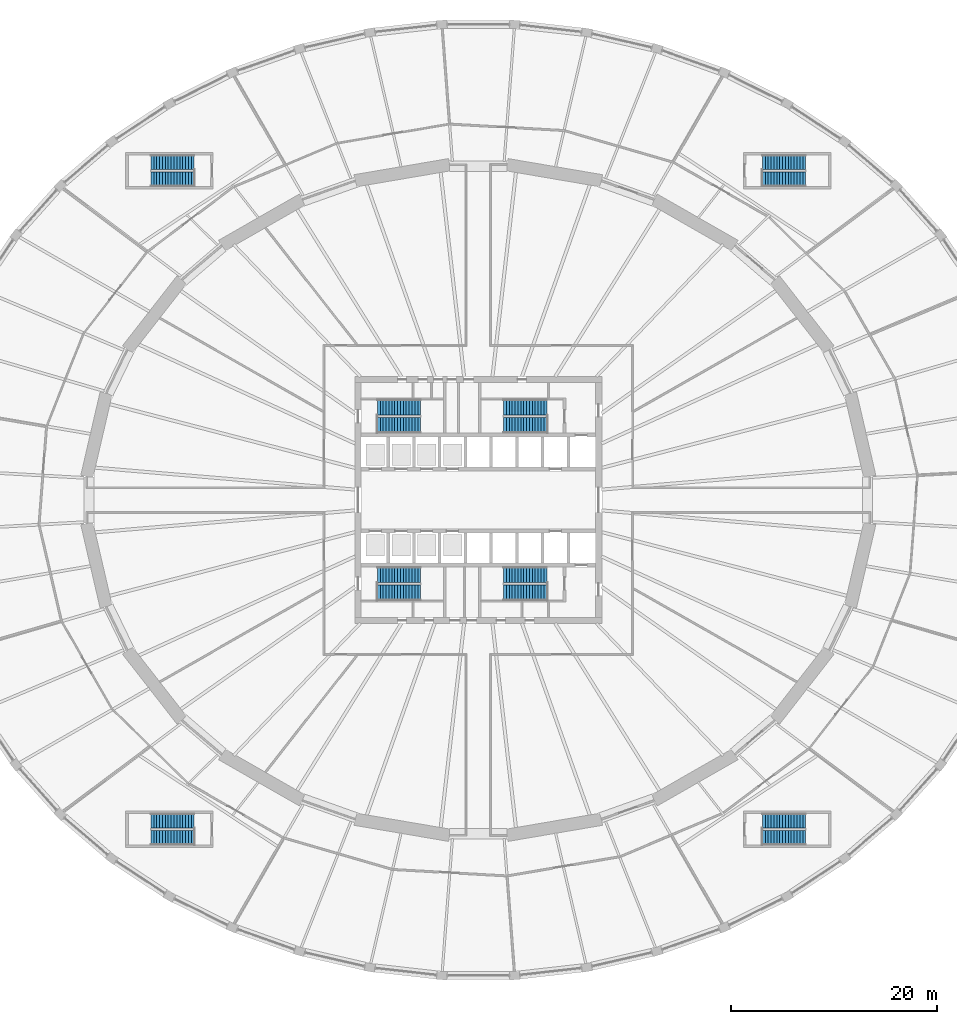
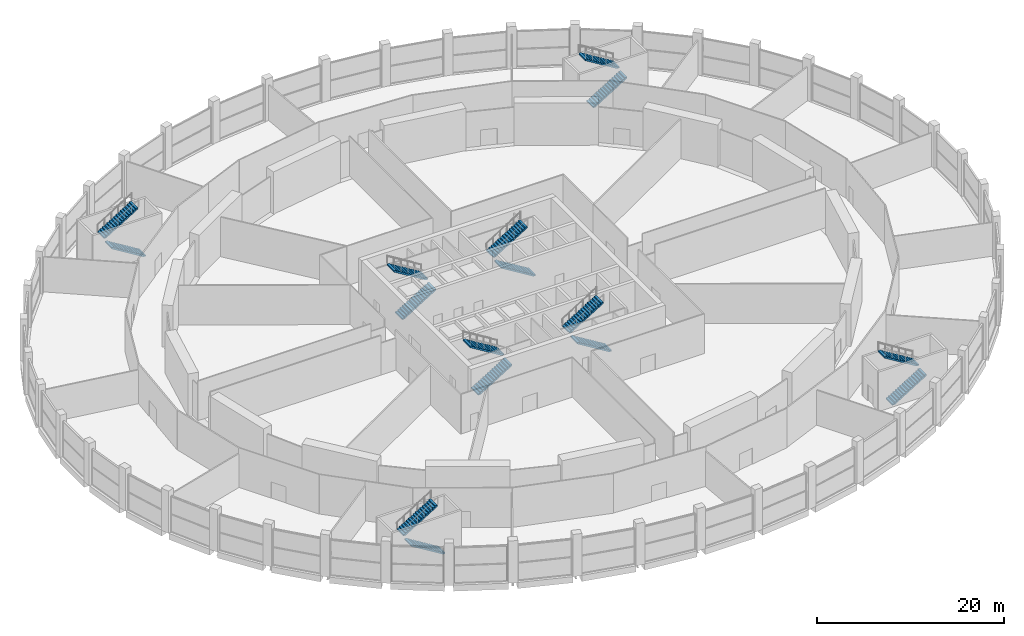
# One storey, part 26 of 29: 16 stair flights, 8 elements without a shape of their own.
"""IFC4 building model written with IfcOpenShell, lengths in metres."""

from ifc_helpers import new_model, si_unit, direction, frame, origin, place, context, subcontext, project, spatial, polyline, outline, extrude, material, type_object, element, aggregate, save


model = new_model("IFC4")

# Units and contexts
model_context = context("Model", 3, precision=1e-05, world=origin(), true_north=direction((0.0, 1.0)))
body_context = subcontext(model_context, "Body", "Model", "MODEL_VIEW")
ifc_project = project(units=[si_unit("LENGTHUNIT", "METRE"), si_unit("AREAUNIT", "SQUARE_METRE"), si_unit("VOLUMEUNIT", "CUBIC_METRE"), si_unit("PLANEANGLEUNIT", "RADIAN"), si_unit("MASSUNIT", "GRAM", prefix="KILO")], contexts=[model_context])

# Site, building, storey
site_placement = place(None, origin())
site = spatial("IfcSite", under=ifc_project, at=site_placement, CompositionType="ELEMENT")
building_placement = place(site_placement, origin())
building = spatial("IfcBuilding", under=site, at=building_placement, Name="Halqa Exchange Tower", CompositionType="ELEMENT")
storey_placement = place(building_placement, frame((0.0, 0.0, 12.5)))
storey = spatial("IfcBuildingStorey", under=building, at=storey_placement, Name="L02", CompositionType="ELEMENT", Elevation=12.5)

# Stair, stair flights
ifc_material = material(Name="Concrete C30/37", Category="concrete")
stair_type_1 = type_object("IfcStairType", Name="Exit stair 1400 wide", PredefinedType="HALF_TURN_STAIR", material=ifc_material)
stair_1_placement = place(storey_placement, origin())
stair_1 = element("IfcStair", 1, at=stair_1_placement, inside=storey, type_object=stair_type_1, Name="Exit stair PS1", PredefinedType="HALF_TURN_STAIR")
stair_flight_type_1 = type_object("IfcStairFlightType", Name="Stair flight 1400 wide", PredefinedType="STRAIGHT", material=ifc_material)
stair_flight_1_placement = place(storey_placement, frame((27.60009765625, 31.175048828125, 0.0), z_axis=(0.0, 0.0, 1.0), x_axis=(1.0, 0.0, 0.0)))
stair_flight_1 = element("IfcStairFlight", 2, at=stair_flight_1_placement, type_object=stair_flight_type_1, Name="PS1 flight 1", NumberOfRisers=16, NumberOfTreads=15, PredefinedType="STRAIGHT", RiserHeight=0.171875, TreadLength=0.28, context=body_context, shape_type="SweptSolid", body=[
    extrude(outline(polyline([(0.0, 0.0), (0.0, 0.171875), (0.280029296875, 0.171875), (0.280029296875, 0.34375), (0.56005859375, 0.34375), (0.56005859375, 0.515625), (0.840087890625, 0.515625), (0.840087890625, 0.6875), (1.1201171875, 0.6875), (1.1201171875, 0.859375), (1.39990234375, 0.859375), (1.39990234375, 1.03125), (1.679931640625, 1.03125), (1.679931640625, 1.203125), (1.9599609375, 1.203125), (1.9599609375, 1.375), (2.239990234375, 1.375), (2.239990234375, 1.546875), (2.52001953125, 1.546875), (2.52001953125, 1.71875), (2.800048828125, 1.71875), (2.800048828125, 1.890625), (3.080078125, 1.890625), (3.080078125, 2.0625), (3.360107421875, 2.0625), (3.360107421875, 2.234375), (3.639892578125, 2.234375), (3.639892578125, 2.40625), (3.919921875, 2.40625), (3.919921875, 2.578125), (4.199951171875, 2.578125), (4.199951171875, 2.75), (4.199951171875, 2.40234375), (0.28662109375, 0.0), (0.0, 0.0)])), frame((0.0, 0.699951171875, 0.0), z_axis=(0.0, -1.0, 0.0), x_axis=(1.0, 0.0, 0.0)), (0.0, 0.0, 1.0), 1.39990234375),
])
stair_flight_2_placement = place(storey_placement, frame((31.800048828125, 32.824951171875, 2.75), z_axis=(0.0, 0.0, 1.0), x_axis=(-1.0, 0.0, 0.0)))
stair_flight_2 = element("IfcStairFlight", 3, at=stair_flight_2_placement, type_object=stair_flight_type_1, Name="PS1 flight 2", NumberOfRisers=16, NumberOfTreads=15, PredefinedType="STRAIGHT", RiserHeight=0.171875, TreadLength=0.28, context=body_context, shape_type="SweptSolid", body=[
    extrude(outline(polyline([(0.0, 0.0), (0.0, 0.171875), (0.280029296875, 0.171875), (0.280029296875, 0.34375), (0.56005859375, 0.34375), (0.56005859375, 0.515625), (0.840087890625, 0.515625), (0.840087890625, 0.6875), (1.1201171875, 0.6875), (1.1201171875, 0.859375), (1.39990234375, 0.859375), (1.39990234375, 1.03125), (1.679931640625, 1.03125), (1.679931640625, 1.203125), (1.9599609375, 1.203125), (1.9599609375, 1.375), (2.239990234375, 1.375), (2.239990234375, 1.546875), (2.52001953125, 1.546875), (2.52001953125, 1.71875), (2.800048828125, 1.71875), (2.800048828125, 1.890625), (3.080078125, 1.890625), (3.080078125, 2.0625), (3.360107421875, 2.0625), (3.360107421875, 2.234375), (3.639892578125, 2.234375), (3.639892578125, 2.40625), (3.919921875, 2.40625), (3.919921875, 2.578125), (4.199951171875, 2.578125), (4.199951171875, 2.75), (4.199951171875, 2.40234375), (0.28662109375, 0.0), (0.0, 0.0)])), frame((0.0, 0.699951171875, 0.0), z_axis=(0.0, -1.0, 0.0), x_axis=(1.0, 0.0, 0.0)), (0.0, 0.0, 1.0), 1.39990234375),
])
aggregate(stair_1, [stair_flight_1, stair_flight_2])

stair_2_placement = place(storey_placement, origin())
stair_2 = element("IfcStair", 4, at=stair_2_placement, inside=storey, type_object=stair_type_1, Name="Exit stair PS2", PredefinedType="HALF_TURN_STAIR")
stair_flight_3_placement = place(storey_placement, frame((27.60009765625, -32.824951171875, 0.0), z_axis=(0.0, 0.0, 1.0), x_axis=(1.0, 0.0, 0.0)))
stair_flight_3 = element("IfcStairFlight", 5, at=stair_flight_3_placement, type_object=stair_flight_type_1, Name="PS2 flight 1", NumberOfRisers=16, NumberOfTreads=15, PredefinedType="STRAIGHT", RiserHeight=0.171875, TreadLength=0.28, context=body_context, shape_type="SweptSolid", body=[
    extrude(outline(polyline([(0.0, 0.0), (0.0, 0.171875), (0.280029296875, 0.171875), (0.280029296875, 0.34375), (0.56005859375, 0.34375), (0.56005859375, 0.515625), (0.840087890625, 0.515625), (0.840087890625, 0.6875), (1.1201171875, 0.6875), (1.1201171875, 0.859375), (1.39990234375, 0.859375), (1.39990234375, 1.03125), (1.679931640625, 1.03125), (1.679931640625, 1.203125), (1.9599609375, 1.203125), (1.9599609375, 1.375), (2.239990234375, 1.375), (2.239990234375, 1.546875), (2.52001953125, 1.546875), (2.52001953125, 1.71875), (2.800048828125, 1.71875), (2.800048828125, 1.890625), (3.080078125, 1.890625), (3.080078125, 2.0625), (3.360107421875, 2.0625), (3.360107421875, 2.234375), (3.639892578125, 2.234375), (3.639892578125, 2.40625), (3.919921875, 2.40625), (3.919921875, 2.578125), (4.199951171875, 2.578125), (4.199951171875, 2.75), (4.199951171875, 2.40234375), (0.28662109375, 0.0), (0.0, 0.0)])), frame((0.0, 0.699951171875, 0.0), z_axis=(0.0, -1.0, 0.0), x_axis=(1.0, 0.0, 0.0)), (0.0, 0.0, 1.0), 1.39990234375),
])
stair_flight_4_placement = place(storey_placement, frame((31.800048828125, -31.175048828125, 2.75), z_axis=(0.0, 0.0, 1.0), x_axis=(-1.0, 0.0, 0.0)))
stair_flight_4 = element("IfcStairFlight", 6, at=stair_flight_4_placement, type_object=stair_flight_type_1, Name="PS2 flight 2", NumberOfRisers=16, NumberOfTreads=15, PredefinedType="STRAIGHT", RiserHeight=0.171875, TreadLength=0.28, context=body_context, shape_type="SweptSolid", body=[
    extrude(outline(polyline([(0.0, 0.0), (0.0, 0.171875), (0.280029296875, 0.171875), (0.280029296875, 0.34375), (0.56005859375, 0.34375), (0.56005859375, 0.515625), (0.840087890625, 0.515625), (0.840087890625, 0.6875), (1.1201171875, 0.6875), (1.1201171875, 0.859375), (1.39990234375, 0.859375), (1.39990234375, 1.03125), (1.679931640625, 1.03125), (1.679931640625, 1.203125), (1.9599609375, 1.203125), (1.9599609375, 1.375), (2.239990234375, 1.375), (2.239990234375, 1.546875), (2.52001953125, 1.546875), (2.52001953125, 1.71875), (2.800048828125, 1.71875), (2.800048828125, 1.890625), (3.080078125, 1.890625), (3.080078125, 2.0625), (3.360107421875, 2.0625), (3.360107421875, 2.234375), (3.639892578125, 2.234375), (3.639892578125, 2.40625), (3.919921875, 2.40625), (3.919921875, 2.578125), (4.199951171875, 2.578125), (4.199951171875, 2.75), (4.199951171875, 2.40234375), (0.28662109375, 0.0), (0.0, 0.0)])), frame((0.0, 0.699951171875, 0.0), z_axis=(0.0, -1.0, 0.0), x_axis=(1.0, 0.0, 0.0)), (0.0, 0.0, 1.0), 1.39990234375),
])
aggregate(stair_2, [stair_flight_3, stair_flight_4])

stair_3_placement = place(storey_placement, origin())
stair_3 = element("IfcStair", 7, at=stair_3_placement, inside=storey, type_object=stair_type_1, Name="Exit stair PS3", PredefinedType="HALF_TURN_STAIR")
stair_flight_5_placement = place(storey_placement, frame((-27.60009765625, 31.175048828125, 0.0), z_axis=(0.0, 0.0, 1.0), x_axis=(-1.0, 0.0, 0.0)))
stair_flight_5 = element("IfcStairFlight", 8, at=stair_flight_5_placement, type_object=stair_flight_type_1, Name="PS3 flight 1", NumberOfRisers=16, NumberOfTreads=15, PredefinedType="STRAIGHT", RiserHeight=0.171875, TreadLength=0.28, context=body_context, shape_type="SweptSolid", body=[
    extrude(outline(polyline([(0.0, 0.0), (0.0, 0.171875), (0.280029296875, 0.171875), (0.280029296875, 0.34375), (0.56005859375, 0.34375), (0.56005859375, 0.515625), (0.840087890625, 0.515625), (0.840087890625, 0.6875), (1.1201171875, 0.6875), (1.1201171875, 0.859375), (1.39990234375, 0.859375), (1.39990234375, 1.03125), (1.679931640625, 1.03125), (1.679931640625, 1.203125), (1.9599609375, 1.203125), (1.9599609375, 1.375), (2.239990234375, 1.375), (2.239990234375, 1.546875), (2.52001953125, 1.546875), (2.52001953125, 1.71875), (2.800048828125, 1.71875), (2.800048828125, 1.890625), (3.080078125, 1.890625), (3.080078125, 2.0625), (3.360107421875, 2.0625), (3.360107421875, 2.234375), (3.639892578125, 2.234375), (3.639892578125, 2.40625), (3.919921875, 2.40625), (3.919921875, 2.578125), (4.199951171875, 2.578125), (4.199951171875, 2.75), (4.199951171875, 2.40234375), (0.28662109375, 0.0), (0.0, 0.0)])), frame((0.0, 0.699951171875, 0.0), z_axis=(0.0, -1.0, 0.0), x_axis=(1.0, 0.0, 0.0)), (0.0, 0.0, 1.0), 1.39990234375),
])
stair_flight_6_placement = place(storey_placement, frame((-31.800048828125, 32.824951171875, 2.75), z_axis=(0.0, 0.0, 1.0), x_axis=(1.0, 0.0, 0.0)))
stair_flight_6 = element("IfcStairFlight", 9, at=stair_flight_6_placement, type_object=stair_flight_type_1, Name="PS3 flight 2", NumberOfRisers=16, NumberOfTreads=15, PredefinedType="STRAIGHT", RiserHeight=0.171875, TreadLength=0.28, context=body_context, shape_type="SweptSolid", body=[
    extrude(outline(polyline([(0.0, 0.0), (0.0, 0.171875), (0.280029296875, 0.171875), (0.280029296875, 0.34375), (0.56005859375, 0.34375), (0.56005859375, 0.515625), (0.840087890625, 0.515625), (0.840087890625, 0.6875), (1.1201171875, 0.6875), (1.1201171875, 0.859375), (1.39990234375, 0.859375), (1.39990234375, 1.03125), (1.679931640625, 1.03125), (1.679931640625, 1.203125), (1.9599609375, 1.203125), (1.9599609375, 1.375), (2.239990234375, 1.375), (2.239990234375, 1.546875), (2.52001953125, 1.546875), (2.52001953125, 1.71875), (2.800048828125, 1.71875), (2.800048828125, 1.890625), (3.080078125, 1.890625), (3.080078125, 2.0625), (3.360107421875, 2.0625), (3.360107421875, 2.234375), (3.639892578125, 2.234375), (3.639892578125, 2.40625), (3.919921875, 2.40625), (3.919921875, 2.578125), (4.199951171875, 2.578125), (4.199951171875, 2.75), (4.199951171875, 2.40234375), (0.28662109375, 0.0), (0.0, 0.0)])), frame((0.0, 0.699951171875, 0.0), z_axis=(0.0, -1.0, 0.0), x_axis=(1.0, 0.0, 0.0)), (0.0, 0.0, 1.0), 1.39990234375),
])
aggregate(stair_3, [stair_flight_5, stair_flight_6])

stair_4_placement = place(storey_placement, origin())
stair_4 = element("IfcStair", 10, at=stair_4_placement, inside=storey, type_object=stair_type_1, Name="Exit stair PS4", PredefinedType="HALF_TURN_STAIR")
stair_flight_7_placement = place(storey_placement, frame((-27.60009765625, -32.824951171875, 0.0), z_axis=(0.0, 0.0, 1.0), x_axis=(-1.0, 0.0, 0.0)))
stair_flight_7 = element("IfcStairFlight", 11, at=stair_flight_7_placement, type_object=stair_flight_type_1, Name="PS4 flight 1", NumberOfRisers=16, NumberOfTreads=15, PredefinedType="STRAIGHT", RiserHeight=0.171875, TreadLength=0.28, context=body_context, shape_type="SweptSolid", body=[
    extrude(outline(polyline([(0.0, 0.0), (0.0, 0.171875), (0.280029296875, 0.171875), (0.280029296875, 0.34375), (0.56005859375, 0.34375), (0.56005859375, 0.515625), (0.840087890625, 0.515625), (0.840087890625, 0.6875), (1.1201171875, 0.6875), (1.1201171875, 0.859375), (1.39990234375, 0.859375), (1.39990234375, 1.03125), (1.679931640625, 1.03125), (1.679931640625, 1.203125), (1.9599609375, 1.203125), (1.9599609375, 1.375), (2.239990234375, 1.375), (2.239990234375, 1.546875), (2.52001953125, 1.546875), (2.52001953125, 1.71875), (2.800048828125, 1.71875), (2.800048828125, 1.890625), (3.080078125, 1.890625), (3.080078125, 2.0625), (3.360107421875, 2.0625), (3.360107421875, 2.234375), (3.639892578125, 2.234375), (3.639892578125, 2.40625), (3.919921875, 2.40625), (3.919921875, 2.578125), (4.199951171875, 2.578125), (4.199951171875, 2.75), (4.199951171875, 2.40234375), (0.28662109375, 0.0), (0.0, 0.0)])), frame((0.0, 0.699951171875, 0.0), z_axis=(0.0, -1.0, 0.0), x_axis=(1.0, 0.0, 0.0)), (0.0, 0.0, 1.0), 1.39990234375),
])
stair_flight_8_placement = place(storey_placement, frame((-31.800048828125, -31.175048828125, 2.75), z_axis=(0.0, 0.0, 1.0), x_axis=(1.0, 0.0, 0.0)))
stair_flight_8 = element("IfcStairFlight", 12, at=stair_flight_8_placement, type_object=stair_flight_type_1, Name="PS4 flight 2", NumberOfRisers=16, NumberOfTreads=15, PredefinedType="STRAIGHT", RiserHeight=0.171875, TreadLength=0.28, context=body_context, shape_type="SweptSolid", body=[
    extrude(outline(polyline([(0.0, 0.0), (0.0, 0.171875), (0.280029296875, 0.171875), (0.280029296875, 0.34375), (0.56005859375, 0.34375), (0.56005859375, 0.515625), (0.840087890625, 0.515625), (0.840087890625, 0.6875), (1.1201171875, 0.6875), (1.1201171875, 0.859375), (1.39990234375, 0.859375), (1.39990234375, 1.03125), (1.679931640625, 1.03125), (1.679931640625, 1.203125), (1.9599609375, 1.203125), (1.9599609375, 1.375), (2.239990234375, 1.375), (2.239990234375, 1.546875), (2.52001953125, 1.546875), (2.52001953125, 1.71875), (2.800048828125, 1.71875), (2.800048828125, 1.890625), (3.080078125, 1.890625), (3.080078125, 2.0625), (3.360107421875, 2.0625), (3.360107421875, 2.234375), (3.639892578125, 2.234375), (3.639892578125, 2.40625), (3.919921875, 2.40625), (3.919921875, 2.578125), (4.199951171875, 2.578125), (4.199951171875, 2.75), (4.199951171875, 2.40234375), (0.28662109375, 0.0), (0.0, 0.0)])), frame((0.0, 0.699951171875, 0.0), z_axis=(0.0, -1.0, 0.0), x_axis=(1.0, 0.0, 0.0)), (0.0, 0.0, 1.0), 1.39990234375),
])
aggregate(stair_4, [stair_flight_7, stair_flight_8])

stair_type_2 = type_object("IfcStairType", Name="Exit stair 1500 wide", PredefinedType="HALF_TURN_STAIR", material=ifc_material)
stair_5_placement = place(storey_placement, origin())
stair_5 = element("IfcStair", 13, at=stair_5_placement, inside=storey, type_object=stair_type_2, Name="Exit stair ST1", PredefinedType="HALF_TURN_STAIR")
stair_flight_type_2 = type_object("IfcStairFlightType", Name="Stair flight 1500 wide", PredefinedType="STRAIGHT", material=ifc_material)
stair_flight_9_placement = place(storey_placement, frame((-9.800048828125, 7.25, 0.0), z_axis=(0.0, 0.0, 1.0), x_axis=(1.0, 0.0, 0.0)))
stair_flight_9 = element("IfcStairFlight", 14, at=stair_flight_9_placement, type_object=stair_flight_type_2, Name="ST1 flight 1", NumberOfRisers=16, NumberOfTreads=15, PredefinedType="STRAIGHT", RiserHeight=0.171875, TreadLength=0.28, context=body_context, shape_type="SweptSolid", body=[
    extrude(outline(polyline([(0.0, 0.0), (0.0, 0.171875), (0.280029296875, 0.171875), (0.280029296875, 0.34375), (0.56005859375, 0.34375), (0.56005859375, 0.515625), (0.840087890625, 0.515625), (0.840087890625, 0.6875), (1.1201171875, 0.6875), (1.1201171875, 0.859375), (1.39990234375, 0.859375), (1.39990234375, 1.03125), (1.679931640625, 1.03125), (1.679931640625, 1.203125), (1.9599609375, 1.203125), (1.9599609375, 1.375), (2.239990234375, 1.375), (2.239990234375, 1.546875), (2.52001953125, 1.546875), (2.52001953125, 1.71875), (2.800048828125, 1.71875), (2.800048828125, 1.890625), (3.080078125, 1.890625), (3.080078125, 2.0625), (3.360107421875, 2.0625), (3.360107421875, 2.234375), (3.639892578125, 2.234375), (3.639892578125, 2.40625), (3.919921875, 2.40625), (3.919921875, 2.578125), (4.199951171875, 2.578125), (4.199951171875, 2.75), (4.199951171875, 2.40234375), (0.28662109375, 0.0), (0.0, 0.0)])), frame((0.0, 0.75, 0.0), z_axis=(0.0, -1.0, 0.0), x_axis=(1.0, 0.0, 0.0)), (0.0, 0.0, 1.0), 1.5),
])
stair_flight_10_placement = place(storey_placement, frame((-5.60009765625, 9.0, 2.75), z_axis=(0.0, 0.0, 1.0), x_axis=(-1.0, 0.0, 0.0)))
stair_flight_10 = element("IfcStairFlight", 15, at=stair_flight_10_placement, type_object=stair_flight_type_2, Name="ST1 flight 2", NumberOfRisers=16, NumberOfTreads=15, PredefinedType="STRAIGHT", RiserHeight=0.171875, TreadLength=0.28, context=body_context, shape_type="SweptSolid", body=[
    extrude(outline(polyline([(0.0, 0.0), (0.0, 0.171875), (0.280029296875, 0.171875), (0.280029296875, 0.34375), (0.56005859375, 0.34375), (0.56005859375, 0.515625), (0.840087890625, 0.515625), (0.840087890625, 0.6875), (1.1201171875, 0.6875), (1.1201171875, 0.859375), (1.39990234375, 0.859375), (1.39990234375, 1.03125), (1.679931640625, 1.03125), (1.679931640625, 1.203125), (1.9599609375, 1.203125), (1.9599609375, 1.375), (2.239990234375, 1.375), (2.239990234375, 1.546875), (2.52001953125, 1.546875), (2.52001953125, 1.71875), (2.800048828125, 1.71875), (2.800048828125, 1.890625), (3.080078125, 1.890625), (3.080078125, 2.0625), (3.360107421875, 2.0625), (3.360107421875, 2.234375), (3.639892578125, 2.234375), (3.639892578125, 2.40625), (3.919921875, 2.40625), (3.919921875, 2.578125), (4.199951171875, 2.578125), (4.199951171875, 2.75), (4.199951171875, 2.40234375), (0.28662109375, 0.0), (0.0, 0.0)])), frame((0.0, 0.75, 0.0), z_axis=(0.0, -1.0, 0.0), x_axis=(1.0, 0.0, 0.0)), (0.0, 0.0, 1.0), 1.5),
])
aggregate(stair_5, [stair_flight_9, stair_flight_10])

stair_6_placement = place(storey_placement, origin())
stair_6 = element("IfcStair", 16, at=stair_6_placement, inside=storey, type_object=stair_type_2, Name="Exit stair ST2", PredefinedType="HALF_TURN_STAIR")
stair_flight_11_placement = place(storey_placement, frame((6.64990234375, 7.25, 0.0), z_axis=(0.0, 0.0, 1.0), x_axis=(-1.0, 0.0, 0.0)))
stair_flight_11 = element("IfcStairFlight", 17, at=stair_flight_11_placement, type_object=stair_flight_type_2, Name="ST2 flight 1", NumberOfRisers=16, NumberOfTreads=15, PredefinedType="STRAIGHT", RiserHeight=0.171875, TreadLength=0.28, context=body_context, shape_type="SweptSolid", body=[
    extrude(outline(polyline([(0.0, 0.0), (0.0, 0.171875), (0.280029296875, 0.171875), (0.280029296875, 0.34375), (0.56005859375, 0.34375), (0.56005859375, 0.515625), (0.840087890625, 0.515625), (0.840087890625, 0.6875), (1.1201171875, 0.6875), (1.1201171875, 0.859375), (1.39990234375, 0.859375), (1.39990234375, 1.03125), (1.679931640625, 1.03125), (1.679931640625, 1.203125), (1.9599609375, 1.203125), (1.9599609375, 1.375), (2.239990234375, 1.375), (2.239990234375, 1.546875), (2.52001953125, 1.546875), (2.52001953125, 1.71875), (2.800048828125, 1.71875), (2.800048828125, 1.890625), (3.080078125, 1.890625), (3.080078125, 2.0625), (3.360107421875, 2.0625), (3.360107421875, 2.234375), (3.639892578125, 2.234375), (3.639892578125, 2.40625), (3.919921875, 2.40625), (3.919921875, 2.578125), (4.199951171875, 2.578125), (4.199951171875, 2.75), (4.199951171875, 2.40234375), (0.28662109375, 0.0), (0.0, 0.0)])), frame((0.0, 0.75, 0.0), z_axis=(0.0, -1.0, 0.0), x_axis=(1.0, 0.0, 0.0)), (0.0, 0.0, 1.0), 1.5),
])
stair_flight_12_placement = place(storey_placement, frame((2.449951171875, 9.0, 2.75), z_axis=(0.0, 0.0, 1.0), x_axis=(1.0, 0.0, 0.0)))
stair_flight_12 = element("IfcStairFlight", 18, at=stair_flight_12_placement, type_object=stair_flight_type_2, Name="ST2 flight 2", NumberOfRisers=16, NumberOfTreads=15, PredefinedType="STRAIGHT", RiserHeight=0.171875, TreadLength=0.28, context=body_context, shape_type="SweptSolid", body=[
    extrude(outline(polyline([(0.0, 0.0), (0.0, 0.171875), (0.280029296875, 0.171875), (0.280029296875, 0.34375), (0.56005859375, 0.34375), (0.56005859375, 0.515625), (0.840087890625, 0.515625), (0.840087890625, 0.6875), (1.1201171875, 0.6875), (1.1201171875, 0.859375), (1.39990234375, 0.859375), (1.39990234375, 1.03125), (1.679931640625, 1.03125), (1.679931640625, 1.203125), (1.9599609375, 1.203125), (1.9599609375, 1.375), (2.239990234375, 1.375), (2.239990234375, 1.546875), (2.52001953125, 1.546875), (2.52001953125, 1.71875), (2.800048828125, 1.71875), (2.800048828125, 1.890625), (3.080078125, 1.890625), (3.080078125, 2.0625), (3.360107421875, 2.0625), (3.360107421875, 2.234375), (3.639892578125, 2.234375), (3.639892578125, 2.40625), (3.919921875, 2.40625), (3.919921875, 2.578125), (4.199951171875, 2.578125), (4.199951171875, 2.75), (4.199951171875, 2.40234375), (0.28662109375, 0.0), (0.0, 0.0)])), frame((0.0, 0.75, 0.0), z_axis=(0.0, -1.0, 0.0), x_axis=(1.0, 0.0, 0.0)), (0.0, 0.0, 1.0), 1.5),
])
aggregate(stair_6, [stair_flight_11, stair_flight_12])

stair_7_placement = place(storey_placement, origin())
stair_7 = element("IfcStair", 19, at=stair_7_placement, inside=storey, type_object=stair_type_2, Name="Exit stair ST3", PredefinedType="HALF_TURN_STAIR")
stair_flight_13_placement = place(storey_placement, frame((-9.800048828125, -9.0, 0.0), z_axis=(0.0, 0.0, 1.0), x_axis=(1.0, 0.0, 0.0)))
stair_flight_13 = element("IfcStairFlight", 20, at=stair_flight_13_placement, type_object=stair_flight_type_2, Name="ST3 flight 1", NumberOfRisers=16, NumberOfTreads=15, PredefinedType="STRAIGHT", RiserHeight=0.171875, TreadLength=0.28, context=body_context, shape_type="SweptSolid", body=[
    extrude(outline(polyline([(0.0, 0.0), (0.0, 0.171875), (0.280029296875, 0.171875), (0.280029296875, 0.34375), (0.56005859375, 0.34375), (0.56005859375, 0.515625), (0.840087890625, 0.515625), (0.840087890625, 0.6875), (1.1201171875, 0.6875), (1.1201171875, 0.859375), (1.39990234375, 0.859375), (1.39990234375, 1.03125), (1.679931640625, 1.03125), (1.679931640625, 1.203125), (1.9599609375, 1.203125), (1.9599609375, 1.375), (2.239990234375, 1.375), (2.239990234375, 1.546875), (2.52001953125, 1.546875), (2.52001953125, 1.71875), (2.800048828125, 1.71875), (2.800048828125, 1.890625), (3.080078125, 1.890625), (3.080078125, 2.0625), (3.360107421875, 2.0625), (3.360107421875, 2.234375), (3.639892578125, 2.234375), (3.639892578125, 2.40625), (3.919921875, 2.40625), (3.919921875, 2.578125), (4.199951171875, 2.578125), (4.199951171875, 2.75), (4.199951171875, 2.40234375), (0.28662109375, 0.0), (0.0, 0.0)])), frame((0.0, 0.75, 0.0), z_axis=(0.0, -1.0, 0.0), x_axis=(1.0, 0.0, 0.0)), (0.0, 0.0, 1.0), 1.5),
])
stair_flight_14_placement = place(storey_placement, frame((-5.60009765625, -7.25, 2.75), z_axis=(0.0, 0.0, 1.0), x_axis=(-1.0, 0.0, 0.0)))
stair_flight_14 = element("IfcStairFlight", 21, at=stair_flight_14_placement, type_object=stair_flight_type_2, Name="ST3 flight 2", NumberOfRisers=16, NumberOfTreads=15, PredefinedType="STRAIGHT", RiserHeight=0.171875, TreadLength=0.28, context=body_context, shape_type="SweptSolid", body=[
    extrude(outline(polyline([(0.0, 0.0), (0.0, 0.171875), (0.280029296875, 0.171875), (0.280029296875, 0.34375), (0.56005859375, 0.34375), (0.56005859375, 0.515625), (0.840087890625, 0.515625), (0.840087890625, 0.6875), (1.1201171875, 0.6875), (1.1201171875, 0.859375), (1.39990234375, 0.859375), (1.39990234375, 1.03125), (1.679931640625, 1.03125), (1.679931640625, 1.203125), (1.9599609375, 1.203125), (1.9599609375, 1.375), (2.239990234375, 1.375), (2.239990234375, 1.546875), (2.52001953125, 1.546875), (2.52001953125, 1.71875), (2.800048828125, 1.71875), (2.800048828125, 1.890625), (3.080078125, 1.890625), (3.080078125, 2.0625), (3.360107421875, 2.0625), (3.360107421875, 2.234375), (3.639892578125, 2.234375), (3.639892578125, 2.40625), (3.919921875, 2.40625), (3.919921875, 2.578125), (4.199951171875, 2.578125), (4.199951171875, 2.75), (4.199951171875, 2.40234375), (0.28662109375, 0.0), (0.0, 0.0)])), frame((0.0, 0.75, 0.0), z_axis=(0.0, -1.0, 0.0), x_axis=(1.0, 0.0, 0.0)), (0.0, 0.0, 1.0), 1.5),
])
aggregate(stair_7, [stair_flight_13, stair_flight_14])

stair_8_placement = place(storey_placement, origin())
stair_8 = element("IfcStair", 22, at=stair_8_placement, inside=storey, type_object=stair_type_2, Name="Exit stair ST4", PredefinedType="HALF_TURN_STAIR")
stair_flight_15_placement = place(storey_placement, frame((6.64990234375, -9.0, 0.0), z_axis=(0.0, 0.0, 1.0), x_axis=(-1.0, 0.0, 0.0)))
stair_flight_15 = element("IfcStairFlight", 23, at=stair_flight_15_placement, type_object=stair_flight_type_2, Name="ST4 flight 1", NumberOfRisers=16, NumberOfTreads=15, PredefinedType="STRAIGHT", RiserHeight=0.171875, TreadLength=0.28, context=body_context, shape_type="SweptSolid", body=[
    extrude(outline(polyline([(0.0, 0.0), (0.0, 0.171875), (0.280029296875, 0.171875), (0.280029296875, 0.34375), (0.56005859375, 0.34375), (0.56005859375, 0.515625), (0.840087890625, 0.515625), (0.840087890625, 0.6875), (1.1201171875, 0.6875), (1.1201171875, 0.859375), (1.39990234375, 0.859375), (1.39990234375, 1.03125), (1.679931640625, 1.03125), (1.679931640625, 1.203125), (1.9599609375, 1.203125), (1.9599609375, 1.375), (2.239990234375, 1.375), (2.239990234375, 1.546875), (2.52001953125, 1.546875), (2.52001953125, 1.71875), (2.800048828125, 1.71875), (2.800048828125, 1.890625), (3.080078125, 1.890625), (3.080078125, 2.0625), (3.360107421875, 2.0625), (3.360107421875, 2.234375), (3.639892578125, 2.234375), (3.639892578125, 2.40625), (3.919921875, 2.40625), (3.919921875, 2.578125), (4.199951171875, 2.578125), (4.199951171875, 2.75), (4.199951171875, 2.40234375), (0.28662109375, 0.0), (0.0, 0.0)])), frame((0.0, 0.75, 0.0), z_axis=(0.0, -1.0, 0.0), x_axis=(1.0, 0.0, 0.0)), (0.0, 0.0, 1.0), 1.5),
])
stair_flight_16_placement = place(storey_placement, frame((2.449951171875, -7.25, 2.75), z_axis=(0.0, 0.0, 1.0), x_axis=(1.0, 0.0, 0.0)))
stair_flight_16 = element("IfcStairFlight", 24, at=stair_flight_16_placement, type_object=stair_flight_type_2, Name="ST4 flight 2", NumberOfRisers=16, NumberOfTreads=15, PredefinedType="STRAIGHT", RiserHeight=0.171875, TreadLength=0.28, context=body_context, shape_type="SweptSolid", body=[
    extrude(outline(polyline([(0.0, 0.0), (0.0, 0.171875), (0.280029296875, 0.171875), (0.280029296875, 0.34375), (0.56005859375, 0.34375), (0.56005859375, 0.515625), (0.840087890625, 0.515625), (0.840087890625, 0.6875), (1.1201171875, 0.6875), (1.1201171875, 0.859375), (1.39990234375, 0.859375), (1.39990234375, 1.03125), (1.679931640625, 1.03125), (1.679931640625, 1.203125), (1.9599609375, 1.203125), (1.9599609375, 1.375), (2.239990234375, 1.375), (2.239990234375, 1.546875), (2.52001953125, 1.546875), (2.52001953125, 1.71875), (2.800048828125, 1.71875), (2.800048828125, 1.890625), (3.080078125, 1.890625), (3.080078125, 2.0625), (3.360107421875, 2.0625), (3.360107421875, 2.234375), (3.639892578125, 2.234375), (3.639892578125, 2.40625), (3.919921875, 2.40625), (3.919921875, 2.578125), (4.199951171875, 2.578125), (4.199951171875, 2.75), (4.199951171875, 2.40234375), (0.28662109375, 0.0), (0.0, 0.0)])), frame((0.0, 0.75, 0.0), z_axis=(0.0, -1.0, 0.0), x_axis=(1.0, 0.0, 0.0)), (0.0, 0.0, 1.0), 1.5),
])
aggregate(stair_8, [stair_flight_15, stair_flight_16])

save(model, "model.ifc")
